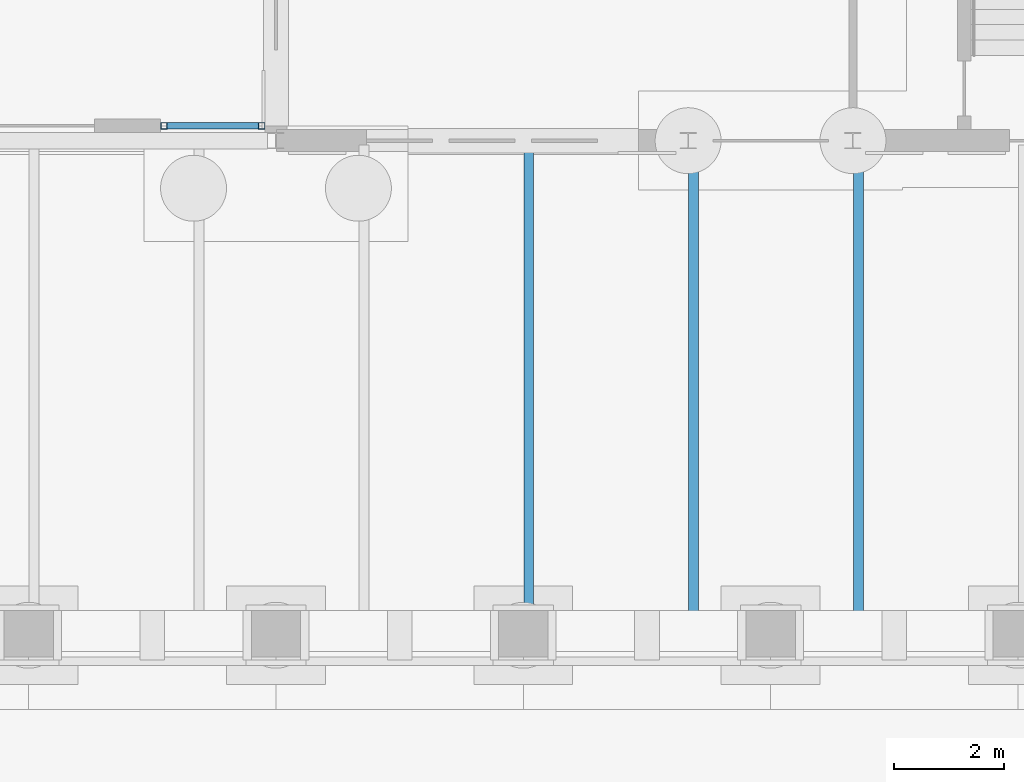
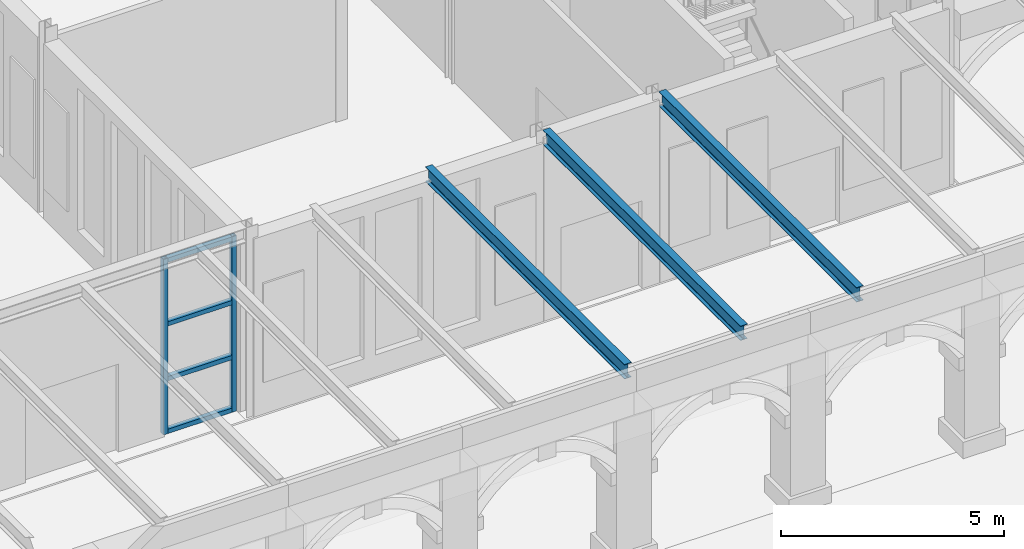
# One storey, part 44 of 168: 6 members, 3 beams, 1 element without a shape of its own.
"""IFC4 building model written with IfcOpenShell, lengths in metres."""

import ifcopenshell
import ifcopenshell.guid

model = None  # the IFC model being written
_history = None  # IfcOwnerHistory: only IFC2X3 demands one
_inside = {}  # id of a spatial element -> (the spatial element, [elements in it])
_under = {}  # id of a project, library or spatial element -> (it, [spatial elements below it])
_declared = {}  # id of a project -> (the project, [libraries it declares])
_typed = {}  # id of a type object -> (the type object, [elements of that type])
_made_of = {}  # id of a material, layer set ... -> (it, [elements and type objects made of it])


def new_model(schema):
    """Start an empty IFC model of exactly this schema.

    Asked for "IFC4X3", IfcOpenShell would pick the latest addendum, in which some entities
    have other attributes; the version numbers below select the first issue.
    IFC2X3 requires an IfcOwnerHistory on every rooted entity: one is made here for all.
    """
    global model, _history
    if schema == "IFC4X3":
        model = ifcopenshell.file(schema_version=(4, 3, 0, 0))
    else:
        model = ifcopenshell.file(schema=schema)
    _inside.clear()
    _under.clear()
    _declared.clear()
    _typed.clear()
    _made_of.clear()
    _history = None
    if model.schema == "IFC2X3":
        org = make("IfcOrganization", Name="unknown")
        user = make(
            "IfcPersonAndOrganization",
            ThePerson=make("IfcPerson", FamilyName="unknown"),
            TheOrganization=org,
        )
        app = make(
            "IfcApplication",
            ApplicationDeveloper=org,
            Version="unknown",
            ApplicationFullName="unknown",
            ApplicationIdentifier="unknown",
        )
        _history = make(
            "IfcOwnerHistory",
            OwningUser=user,
            OwningApplication=app,
            ChangeAction="ADDED",
            CreationDate=0,
        )
    return model


def make(cls, **values):
    """One entity of the class cls with the attributes given. An attribute that is None is left unset."""
    return model.create_entity(
        cls, **{name: value for name, value in values.items() if value is not None}
    )


def rooted(cls, **values):
    """An entity with a GlobalId (a new one), such as an element, a storey or a relation."""
    return make(cls, GlobalId=ifcopenshell.guid.new(), OwnerHistory=_history, **values)


def si_unit(unit_type, name, prefix=None):
    """IfcSIUnit, for example si_unit("LENGTHUNIT", "METRE", prefix="MILLI")."""
    return make("IfcSIUnit", UnitType=unit_type, Prefix=prefix, Name=name)


def assignment(units):
    """IfcUnitAssignment: the units of a project."""
    return None if units is None else make("IfcUnitAssignment", Units=units)


def point(xyz):
    """IfcCartesianPoint."""
    return None if xyz is None else make("IfcCartesianPoint", Coordinates=xyz)


def direction(xyz):
    """IfcDirection."""
    return None if xyz is None else make("IfcDirection", DirectionRatios=xyz)


def frame(location, z_axis=None, x_axis=None):
    """IfcAxis2Placement3D, a coordinate frame: its origin and axes. An axis left out is left unset."""
    return make(
        "IfcAxis2Placement3D",
        Location=point(location),
        Axis=direction(z_axis),
        RefDirection=direction(x_axis),
    )


def frame_2d(location, x_axis=None):
    """IfcAxis2Placement2D, a coordinate frame in the plane: its origin and x axis."""
    return make(
        "IfcAxis2Placement2D", Location=point(location), RefDirection=direction(x_axis)
    )


def origin():
    """The frame at (0, 0, 0) with its axes left unset."""
    return frame((0.0, 0.0, 0.0))


def origin_2d():
    """The frame at (0, 0) in the plane with its x axis left unset."""
    return frame_2d((0.0, 0.0))


def place(relative_to, where):
    """IfcLocalPlacement: puts the frame where relative to a parent placement (None: the world)."""
    return make(
        "IfcLocalPlacement", PlacementRelTo=relative_to, RelativePlacement=where
    )


def context(
    kind, dimensions, precision=None, world=None, true_north=None, identifier=None
):
    """IfcGeometricRepresentationContext, for example the 3D "Model" context."""
    return make(
        "IfcGeometricRepresentationContext",
        ContextIdentifier=identifier,
        ContextType=kind,
        CoordinateSpaceDimension=dimensions,
        Precision=precision,
        WorldCoordinateSystem=world,
        TrueNorth=true_north,
    )


def subcontext(parent, identifier, kind, view, scale=None):
    """IfcGeometricRepresentationSubContext, for example "Body" below "Model"."""
    return make(
        "IfcGeometricRepresentationSubContext",
        ContextIdentifier=identifier,
        ContextType=kind,
        ParentContext=parent,
        TargetScale=scale,
        TargetView=view,
    )


def project(units=None, contexts=None):
    """IfcProject with its units and contexts."""
    return rooted(
        "IfcProject",
        Name="project",
        RepresentationContexts=contexts,
        UnitsInContext=assignment(units),
    )


def spatial(cls, under=None, at=None, **own):
    """A site, building, storey or space (cls), placed at a placement, below another one or the project."""
    s = rooted(cls, ObjectPlacement=at, **own)
    if under is not None:
        _under.setdefault(under.id(), (under, []))[1].append(s)
    return s


def profile(cls, at=None, kind="AREA", **sizes):
    """A parametric profile (cls). Its sizes go by their IFC names, for example OverallWidth=200.0."""
    return make(cls, ProfileType=kind, Position=at, **sizes)


def hollow_rectangle(**sizes):
    """IfcRectangleHollowProfileDef."""
    return profile("IfcRectangleHollowProfileDef", **sizes)


def i_section(**sizes):
    """IfcIShapeProfileDef."""
    return profile("IfcIShapeProfileDef", **sizes)


def extrude(swept, where, along, depth):
    """IfcExtrudedAreaSolid: the profile swept, set in the frame where, extruded along a direction by depth."""
    return make(
        "IfcExtrudedAreaSolid",
        SweptArea=swept,
        Position=where,
        ExtrudedDirection=direction(along),
        Depth=depth,
    )


def shape(context_of_items, identifier, shape_type, items):
    """IfcShapeRepresentation: the items that make up one representation, for example the "Body"."""
    return make(
        "IfcShapeRepresentation",
        ContextOfItems=context_of_items,
        RepresentationIdentifier=identifier,
        RepresentationType=shape_type,
        Items=items,
    )


def material(Name=None, Category=None):
    """IfcMaterial."""
    return make("IfcMaterial", Name=Name, Category=Category)


def material_profile(
    of_material, cross_section, Name=None, Category=None, Priority=None
):
    """IfcMaterialProfile: a cross section and its material."""
    return make(
        "IfcMaterialProfile",
        Name=Name,
        Material=of_material,
        Profile=cross_section,
        Priority=Priority,
        Category=Category,
    )


def profile_set(profiles, Name=None, composite=None):
    """IfcMaterialProfileSet."""
    return make(
        "IfcMaterialProfileSet",
        Name=Name,
        MaterialProfiles=profiles,
        CompositeProfile=composite,
    )


def made_of(thing, what):
    """Note that an element or type object is made of a material, layer set ...; save() writes the relation."""
    if what is not None:
        _made_of.setdefault(what.id(), (what, []))[1].append(thing)
    return thing


def type_object(cls, material=None, **own):
    """A type object (cls), such as IfcWallType, which elements share."""
    return made_of(rooted(cls, **own), material)


def element(
    cls,
    number,
    at=None,
    inside=None,
    cuts=None,
    type_object=None,
    material=None,
    context=None,
    identifier="Body",
    shape_type=None,
    held_by="IfcProductDefinitionShape",
    body=None,
    shapes=None,
    **own,
):
    """One element of the class cls, such as IfcWall. Its Tag is "e" and its number.

    at: its placement. inside: the storey or other place that contains it. cuts: it is an
    opening in that element (IfcRelVoidsElement). A single representation is given by context,
    identifier, shape_type and body (its items); several are given by shapes. held_by: the class
    of the entity that holds the representations. save() writes the other relations.
    """
    e = rooted(cls, Tag="e%d" % number, ObjectPlacement=at, **own)
    if body is not None:
        shapes = [shape(context, identifier, shape_type, body)]
    if shapes is not None:
        e.Representation = make(held_by, Representations=shapes)
    if inside is not None:
        _inside.setdefault(inside.id(), (inside, []))[1].append(e)
    if cuts is not None:
        rooted(
            "IfcRelVoidsElement", RelatingBuildingElement=cuts, RelatedOpeningElement=e
        )
    if type_object is not None:
        _typed.setdefault(type_object.id(), (type_object, []))[1].append(e)
    return made_of(e, material)


def aggregate(whole, parts):
    """IfcRelAggregates: a whole, such as a stair, and the parts it consists of."""
    return rooted("IfcRelAggregates", RelatingObject=whole, RelatedObjects=parts)


def save(model, path):
    """Write the relations noted so far, then the file.

    IfcRelAggregates (storeys below a building ...), IfcRelContainedInSpatialStructure (elements
    in a storey), IfcRelDefinesByType, IfcRelAssociatesMaterial and IfcRelDeclares: one each for
    every whole, place, type object, material and project.
    """
    for whole, parts in _under.values():
        aggregate(whole, parts)
    for where, things in _inside.values():
        rooted(
            "IfcRelContainedInSpatialStructure",
            RelatedElements=things,
            RelatingStructure=where,
        )
    for kind, things in _typed.values():
        rooted("IfcRelDefinesByType", RelatedObjects=things, RelatingType=kind)
    for what, things in _made_of.values():
        rooted("IfcRelAssociatesMaterial", RelatedObjects=things, RelatingMaterial=what)
    for by, libraries in _declared.values():
        rooted("IfcRelDeclares", RelatingContext=by, RelatedDefinitions=libraries)
    model.write(path)


model = new_model("IFC4")

# Units and contexts
model_context = context("Model", 3, precision=1e-05, world=origin(), true_north=direction((0.0, 1.0)))
body_context = subcontext(model_context, "Body", "Model", "MODEL_VIEW")
ifc_project = project(units=[si_unit("LENGTHUNIT", "METRE"), si_unit("AREAUNIT", "SQUARE_METRE"), si_unit("VOLUMEUNIT", "CUBIC_METRE"), si_unit("PLANEANGLEUNIT", "RADIAN"), si_unit("MASSUNIT", "GRAM", prefix="KILO")], contexts=[model_context])

# Site, building, storey
site_placement = place(None, origin())
site = spatial("IfcSite", under=ifc_project, at=site_placement, CompositionType="ELEMENT")
building_placement = place(site_placement, origin())
building = spatial("IfcBuilding", under=site, at=building_placement, Name="Golden Quay Civic Hall", CompositionType="ELEMENT")
storey_placement = place(building_placement, origin())
storey = spatial("IfcBuildingStorey", under=building, at=storey_placement, Name="L00", CompositionType="ELEMENT", Elevation=0.0)

# Curtain wall, members
ifc_material_1 = material(Name="Glass and aluminium", Category="aluminium")
curtain_wall_type = type_object("IfcCurtainWallType", Name="Glazed curtain wall 1500 module", PredefinedType="NOTDEFINED", material=ifc_material_1)
curtain_wall_placement = place(storey_placement, origin())
curtain_wall = element("IfcCurtainWall", 1, at=curtain_wall_placement, inside=storey, type_object=curtain_wall_type, Name="CW1 curtain wall", PredefinedType="NOTDEFINED")
ifc_material_2 = material(Name="Steel S355", Category="steel")
ifc_material_profile_1 = material_profile(ifc_material_2, hollow_rectangle(XDim=0.1201171875, YDim=0.1201171875, WallThickness=0.008056640625, at=origin_2d()), Name="SHS 120x120x8")
ifc_profile_set_1 = profile_set([ifc_material_profile_1], Name="Steel S355")
member_type_1 = type_object("IfcMemberType", Name="Steel mullion SHS 120x120x8", PredefinedType="MULLION", material=ifc_profile_set_1)
member_1_placement = place(storey_placement, frame((96.9599609375, 0.27001953125, 0.0), z_axis=(0.0, 0.0, 1.0), x_axis=(0.0, 1.0, 0.0)))
member_1 = element("IfcMember", 2, at=member_1_placement, type_object=member_type_1, Name="CW1 mullion 1", PredefinedType="MULLION", context=body_context, shape_type="SweptSolid", body=[
    extrude(hollow_rectangle(XDim=0.1201171875, YDim=0.1201171875, WallThickness=0.008056640625, at=origin_2d()), origin(), (0.0, 0.0, 1.0), 4.800048828125),
])
member_2_placement = place(storey_placement, frame((98.739990234375, 0.27001953125, 0.0), z_axis=(0.0, 0.0, 1.0), x_axis=(0.0, 1.0, 0.0)))
member_2 = element("IfcMember", 3, at=member_2_placement, type_object=member_type_1, Name="CW1 mullion 2", PredefinedType="MULLION", context=body_context, shape_type="SweptSolid", body=[
    extrude(hollow_rectangle(XDim=0.1201171875, YDim=0.1201171875, WallThickness=0.008056640625, at=origin_2d()), origin(), (0.0, 0.0, 1.0), 4.800048828125),
])

# Beams
ifc_material_3 = material(Name="Steel S355", Category="steel")
ifc_material_profile_2 = material_profile(ifc_material_3, i_section(OverallWidth=0.179931640625, OverallDepth=0.39990234375, WebThickness=0.008544921875, FlangeThickness=0.013427734375, FilletRadius=0.02099609375, at=origin_2d()), Name="IPE 400")
ifc_profile_set_2 = profile_set([ifc_material_profile_2], Name="Steel S355")
beam_type = type_object("IfcBeamType", Name="Steel terrace beam IPE 400", PredefinedType="JOIST", material=ifc_profile_set_2)
beam_placement = place(storey_placement, frame((103.60009765625, -9.0, 5.0), z_axis=(0.0, 1.0, 0.0), x_axis=(-1.0, 0.0, 0.0)))
element("IfcBeam", 4, at=beam_placement, inside=storey, type_object=beam_type, Name="Terrace beam 28", PredefinedType="JOIST", context=body_context, shape_type="SweptSolid", body=[
    extrude(i_section(OverallWidth=0.179931640625, OverallDepth=0.39990234375, WebThickness=0.008544921875, FlangeThickness=0.013427734375, FilletRadius=0.02099609375, at=origin_2d()), origin(), (0.0, 0.0, 1.0), 8.919921875),
])
for number, where, z_axis, x_axis, name in (
    (5, (106.60009765625, -9.0, 5.0), (0.0, 1.0, 0.0), (-1.0, 0.0, 0.0), "Terrace beam 29"),
    (6, (109.60009765625, -9.0, 5.0), (0.0, 1.0, 0.0), (-1.0, 0.0, 0.0), "Terrace beam 30"),
):
    element("IfcBeam", number, at=place(storey_placement, frame(where, z_axis=z_axis, x_axis=x_axis)), inside=storey, type_object=beam_type, Name=name, PredefinedType="JOIST", context=body_context, shape_type="SweptSolid", body=[
        extrude(i_section(OverallWidth=0.179931640625, OverallDepth=0.39990234375, WebThickness=0.008544921875, FlangeThickness=0.013427734375, FilletRadius=0.02099609375, at=origin_2d()), origin(), (0.0, 0.0, 1.0), 8.85009765625),
    ])

# Member
ifc_material_4 = material(Name="Steel S355", Category="steel")
ifc_material_profile_3 = material_profile(ifc_material_4, hollow_rectangle(XDim=0.1201171875, YDim=0.1201171875, WallThickness=0.008056640625, at=origin_2d()), Name="SHS 120x120x8")
ifc_profile_set_3 = profile_set([ifc_material_profile_3], Name="Steel S355")
member_type_2 = type_object("IfcMemberType", Name="Steel transom SHS 120x120x8", PredefinedType="USERDEFINED", material=ifc_profile_set_3)
member_3_placement = place(storey_placement, frame((97.02001953125, 0.27001953125, 0.06005859375), z_axis=(1.0, 0.0, 0.0), x_axis=(0.0, 1.0, 0.0)))
member_3 = element("IfcMember", 7, at=member_3_placement, type_object=member_type_2, Name="CW1 transom 1.1", ObjectType="TRANSOM", PredefinedType="USERDEFINED", context=body_context, shape_type="SweptSolid", body=[
    extrude(hollow_rectangle(XDim=0.1201171875, YDim=0.1201171875, WallThickness=0.008056640625, at=origin_2d()), origin(), (0.0, 0.0, 1.0), 1.659912109375),
])

member_4_placement = place(storey_placement, frame((97.02001953125, 0.27001953125, 1.5), z_axis=(1.0, 0.0, 0.0), x_axis=(0.0, 1.0, 0.0)))
member_4 = element("IfcMember", 8, at=member_4_placement, type_object=member_type_2, Name="CW1 transom 1.2", ObjectType="TRANSOM", PredefinedType="USERDEFINED", context=body_context, shape_type="SweptSolid", body=[
    extrude(hollow_rectangle(XDim=0.1201171875, YDim=0.1201171875, WallThickness=0.008056640625, at=origin_2d()), origin(), (0.0, 0.0, 1.0), 1.659912109375),
])

member_5_placement = place(storey_placement, frame((97.02001953125, 0.27001953125, 3.0), z_axis=(1.0, 0.0, 0.0), x_axis=(0.0, 1.0, 0.0)))
member_5 = element("IfcMember", 9, at=member_5_placement, type_object=member_type_2, Name="CW1 transom 1.3", ObjectType="TRANSOM", PredefinedType="USERDEFINED", context=body_context, shape_type="SweptSolid", body=[
    extrude(hollow_rectangle(XDim=0.1201171875, YDim=0.1201171875, WallThickness=0.008056640625, at=origin_2d()), origin(), (0.0, 0.0, 1.0), 1.659912109375),
])

member_6_placement = place(storey_placement, frame((97.02001953125, 0.27001953125, 4.739990234375), z_axis=(1.0, 0.0, 0.0), x_axis=(0.0, 1.0, 0.0)))
member_6 = element("IfcMember", 10, at=member_6_placement, type_object=member_type_2, Name="CW1 transom 1.4", ObjectType="TRANSOM", PredefinedType="USERDEFINED", context=body_context, shape_type="SweptSolid", body=[
    extrude(hollow_rectangle(XDim=0.1201171875, YDim=0.1201171875, WallThickness=0.008056640625, at=origin_2d()), origin(), (0.0, 0.0, 1.0), 1.659912109375),
])

aggregate(curtain_wall, [member_1, member_2, member_3, member_4, member_5, member_6])

save(model, "model.ifc")
